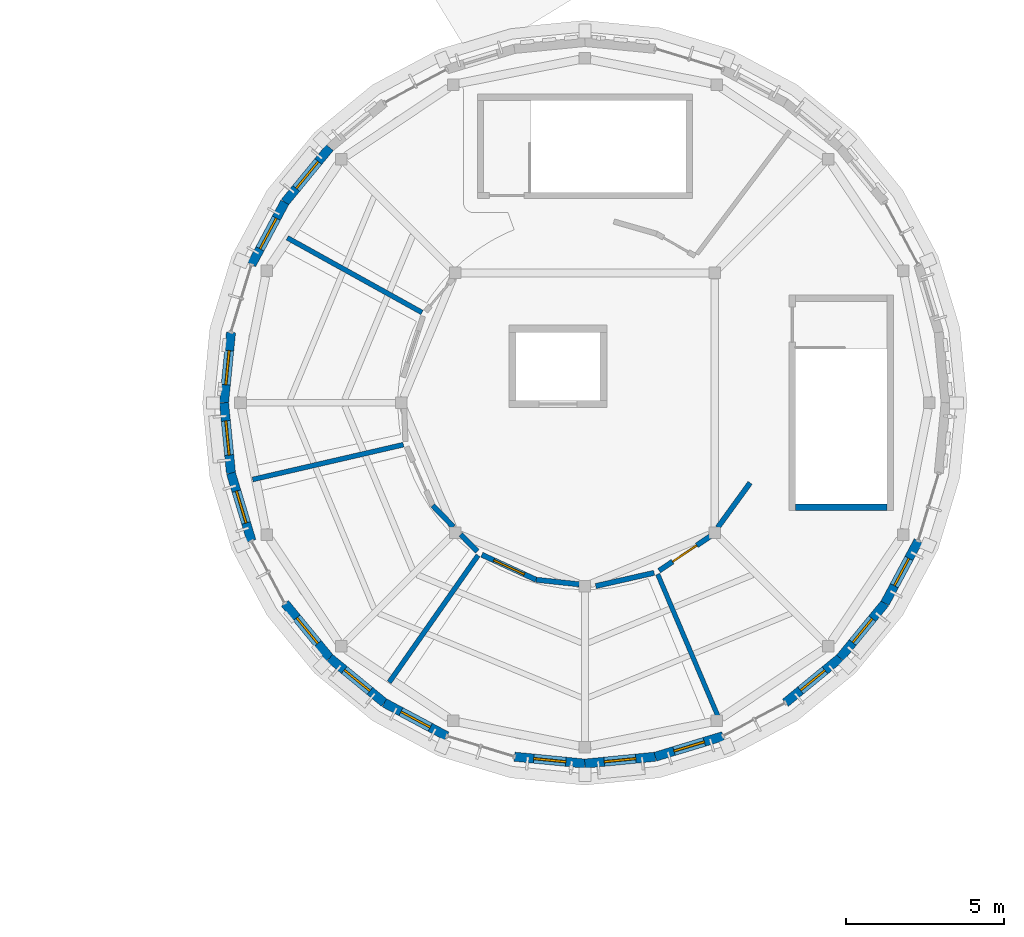
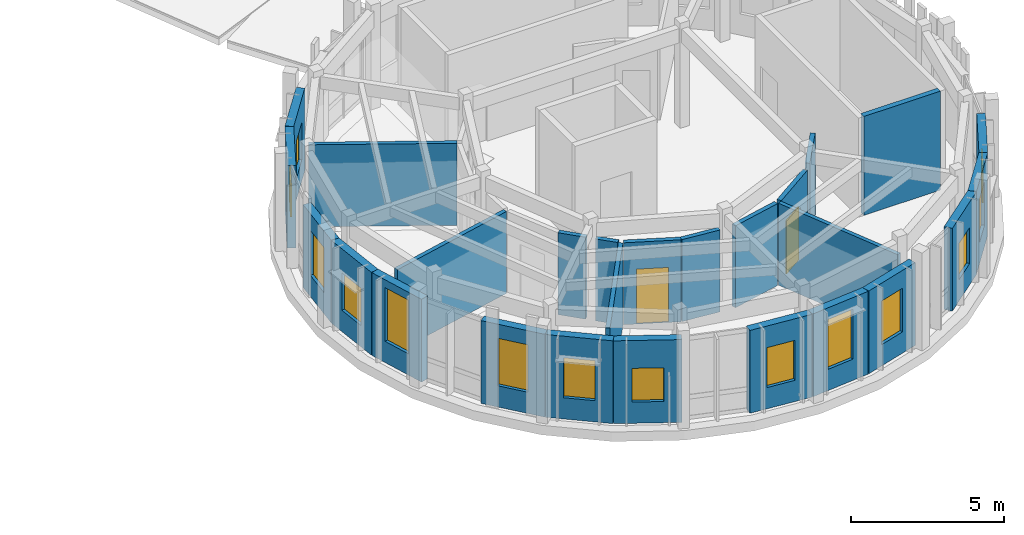
# One storey, part 39 of 58: 26 walls, 14 windows, 2 doors, 16 openings.
"""IFC4 building model written with IfcOpenShell, lengths in metres."""

from ifc_helpers import new_model, si_unit, direction, frame, frame_2d, origin, place, context, subcontext, project, spatial, rectangle, extrude, material, layer, layer_set, type_object, element, fill, save


model = new_model("IFC4")

# Units and contexts
model_context = context("Model", 3, precision=1e-05, world=origin(), true_north=direction((0.0, 1.0)))
body_context = subcontext(model_context, "Body", "Model", "MODEL_VIEW")
ifc_project = project(units=[si_unit("LENGTHUNIT", "METRE"), si_unit("AREAUNIT", "SQUARE_METRE"), si_unit("VOLUMEUNIT", "CUBIC_METRE"), si_unit("PLANEANGLEUNIT", "RADIAN"), si_unit("MASSUNIT", "GRAM", prefix="KILO")], contexts=[model_context])

# Site, building, storey
site_placement = place(None, origin())
site = spatial("IfcSite", under=ifc_project, at=site_placement, CompositionType="ELEMENT")
building_placement = place(site_placement, origin())
building = spatial("IfcBuilding", under=site, at=building_placement, Name="Aldenvaro Health Centre", CompositionType="ELEMENT")
storey_placement = place(building_placement, frame((0.0, 0.0, 8.75)))
storey = spatial("IfcBuildingStorey", under=building, at=storey_placement, Name="L02", CompositionType="ELEMENT", Elevation=8.75)

# Walls
ifc_material_1 = material(Name="Gypsum Stud Acoustic Assembly")
ifc_layer_1 = layer(ifc_material_1, 0.14501953125, Name="Gypsum Stud Acoustic Assembly")
ifc_layer_set_1 = layer_set([ifc_layer_1], Name="Gypsum Stud Acoustic Assembly")
wall_type_1 = type_object("IfcWallType", Name="WL-CLN-145", PredefinedType="PARTITIONING", material=ifc_layer_set_1)
wall_1_placement = place(storey_placement, frame((156.799072265625, 13.0849609375, 0.0), z_axis=(0.0, 0.0, 1.0), x_axis=(0.390680175244, -0.920526480157, 0.0)))
element("IfcWall", 1, at=wall_1_placement, inside=storey, type_object=wall_type_1, Name="D6 L02 clinical partition 5.1", PredefinedType="PARTITIONING", context=body_context, shape_type="SweptSolid", body=[
    extrude(rectangle(XDim=4.90673828125, YDim=0.14501953125, at=frame_2d((2.453369140625, 0.0))), origin(), (0.0, 0.0, 1.0), 3.279052734375),
])
ifc_layer_2 = layer(ifc_material_1, 0.1650390625, Name="Gypsum Stud Acoustic Assembly")
ifc_layer_set_2 = layer_set([ifc_layer_2], Name="Gypsum Stud Acoustic Assembly")
wall_type_2 = type_object("IfcWallType", Name="WL-COR-165", PredefinedType="PARTITIONING", material=ifc_layer_set_2)
wall_2_placement = place(storey_placement, frame((149.69189453125, 15.257080078125, 0.0), z_axis=(0.0, 0.0, 1.0), x_axis=(0.695365384634, -0.718656372582, 0.0)))
element("IfcWall", 2, at=wall_2_placement, inside=storey, type_object=wall_type_2, Name="D6 L02 corridor wall 03.2", PredefinedType="PARTITIONING", context=body_context, shape_type="SweptSolid", body=[
    extrude(rectangle(XDim=0.943359375, YDim=0.1650390625, at=frame_2d((0.4716796875, 0.0))), origin(), (0.0, 0.0, 1.0), 3.279052734375),
])
wall_3_placement = place(storey_placement, frame((150.576904296875, 14.342041015625, 0.0), z_axis=(0.0, 0.0, 1.0), x_axis=(0.695878501673, -0.718159530265, 0.0)))
element("IfcWall", 3, at=wall_3_placement, inside=storey, type_object=wall_type_2, Name="D6 L02 corridor wall 03.3", PredefinedType="PARTITIONING", context=body_context, shape_type="SweptSolid", body=[
    extrude(rectangle(XDim=0.756103515625, YDim=0.1650390625, at=frame_2d((0.3779296875, 0.0))), origin(), (0.0, 0.0, 1.0), 3.279052734375),
])

# Wall, opening, door
wall_4_placement = place(storey_placement, frame((151.243896484375, 13.699951171875, 0.0), z_axis=(0.0, 0.0, 1.0), x_axis=(0.908057612025, -0.418845285569, 0.0)))
wall_4 = element("IfcWall", 4, at=wall_4_placement, inside=storey, type_object=wall_type_2, Name="D6 L02 corridor wall 04.1", PredefinedType="PARTITIONING", context=body_context, shape_type="SweptSolid", body=[
    extrude(rectangle(XDim=1.890869140625, YDim=0.1650390625, at=frame_2d((0.9453125, 0.0))), origin(), (0.0, 0.0, 1.0), 3.279052734375),
])
opening_1_placement = place(wall_4_placement, frame((0.416015625, 0.0, 0.0)))
opening_1 = element("IfcOpeningElement", 5, at=opening_1_placement, cuts=wall_4, Name="Opening MD-02", PredefinedType="OPENING", context=body_context, shape_type="SweptSolid", body=[
    extrude(rectangle(XDim=1.06005859375, YDim=2.199951171875, at=frame_2d((0.530029296875, 1.10009765625))), frame((0.0, 0.092529296875, 0.0), z_axis=(0.0, -1.0, 0.0), x_axis=(1.0, 0.0, 0.0)), (0.0, 0.0, 1.0), 0.18505859375),
])
ifc_material_2 = material(Name="Anti-Ligature Counseling Door")
door_type_1 = type_object("IfcDoorType", Name="DR-MHL-02", OperationType="NOTDEFINED", PredefinedType="DOOR", material=ifc_material_2)
door_1_placement = place(opening_1_placement, origin())
door_1 = element("IfcDoor", 6, at=door_1_placement, inside=storey, type_object=door_type_1, Name="Group Behavioral Therapy Room Door", OperationType="SINGLE_SWING_LEFT", OverallHeight=2.199951171875, OverallWidth=1.06005859375, PredefinedType="DOOR", context=body_context, shape_type="SweptSolid", body=[
    extrude(rectangle(XDim=1.06005859375, YDim=2.199951171875, at=frame_2d((0.530029296875, 1.10009765625))), frame((0.0, 0.02490234375, 0.0), z_axis=(0.0, -1.0, 0.0), x_axis=(1.0, 0.0, 0.0)), (0.0, 0.0, 1.0), 0.050048828125),
])
fill(opening_1, door_1)

# Walls
wall_5_placement = place(storey_placement, frame((152.9609375, 12.907958984375, 0.0), z_axis=(0.0, 0.0, 1.0), x_axis=(0.994536643564, -0.104388048205, 0.0)))
element("IfcWall", 7, at=wall_5_placement, inside=storey, type_object=wall_type_2, Name="D6 L02 corridor wall 04.2", PredefinedType="PARTITIONING", context=body_context, shape_type="SweptSolid", body=[
    extrude(rectangle(XDim=1.37060546875, YDim=0.1650390625, at=frame_2d((0.685302734375, 0.0))), origin(), (0.0, 0.0, 1.0), 3.279052734375),
])
wall_6_placement = place(storey_placement, frame((154.842041015625, 12.7099609375, 0.0), z_axis=(0.0, 0.0, 1.0), x_axis=(0.975286020369, 0.220946098567, 0.0)))
element("IfcWall", 8, at=wall_6_placement, inside=storey, type_object=wall_type_2, Name="D6 L02 corridor wall 04.3", PredefinedType="PARTITIONING", context=body_context, shape_type="SweptSolid", body=[
    extrude(rectangle(XDim=1.8916015625, YDim=0.1650390625, at=frame_2d((0.94580078125, 0.0))), origin(), (0.0, 0.0, 1.0), 3.279052734375),
])

# Wall, opening, door
wall_7_placement = place(storey_placement, frame((156.844970703125, 13.195068359375, 0.0), z_axis=(0.0, 0.0, 1.0), x_axis=(0.829839559262, 0.558002066201, 0.0)))
wall_7 = element("IfcWall", 9, at=wall_7_placement, inside=storey, type_object=wall_type_2, Name="D6 L02 corridor wall 05.1", PredefinedType="PARTITIONING", context=body_context, shape_type="SweptSolid", body=[
    extrude(rectangle(XDim=1.942626953125, YDim=0.1650390625, at=frame_2d((0.97119140625, 0.0))), origin(), (0.0, 0.0, 1.0), 3.279052734375),
])
opening_2_placement = place(wall_7_placement, frame((0.510986328125, 0.0, 0.0)))
opening_2 = element("IfcOpeningElement", 10, at=opening_2_placement, cuts=wall_7, Name="Opening D-01", PredefinedType="OPENING", context=body_context, shape_type="SweptSolid", body=[
    extrude(rectangle(XDim=0.919921875, YDim=2.1201171875, at=frame_2d((0.4599609375, 1.06005859375))), frame((0.0, 0.092529296875, 0.0), z_axis=(0.0, -1.0, 0.0), x_axis=(1.0, 0.0, 0.0)), (0.0, 0.0, 1.0), 0.18505859375),
])
ifc_material_3 = material(Name="Solid Core Acoustic Timber Door", Category="wood")
door_type_2 = type_object("IfcDoorType", Name="DR-CLN-01", OperationType="NOTDEFINED", PredefinedType="DOOR", material=ifc_material_3)
door_2_placement = place(opening_2_placement, origin())
door_2 = element("IfcDoor", 11, at=door_2_placement, inside=storey, type_object=door_type_2, Name="Psychiatric Medication Consulting Door", OperationType="SINGLE_SWING_RIGHT", OverallHeight=2.1201171875, OverallWidth=0.919921875, PredefinedType="DOOR", context=body_context, shape_type="SweptSolid", body=[
    extrude(rectangle(XDim=0.919921875, YDim=2.1201171875, at=frame_2d((0.4599609375, 1.06005859375))), frame((0.0, 0.02490234375, 0.0), z_axis=(0.0, -1.0, 0.0), x_axis=(1.0, 0.0, 0.0)), (0.0, 0.0, 1.0), 0.050048828125),
])
fill(opening_2, door_2)

# Wall
wall_8_placement = place(storey_placement, frame((158.697021484375, 14.56005859375, 0.0), z_axis=(0.0, 0.0, 1.0), x_axis=(0.586988232211, 0.809595463949, 0.0)))
element("IfcWall", 12, at=wall_8_placement, inside=storey, type_object=wall_type_2, Name="D6 L02 corridor wall 05.2", PredefinedType="PARTITIONING", context=body_context, shape_type="SweptSolid", body=[
    extrude(rectangle(XDim=1.74267578125, YDim=0.1650390625, at=frame_2d((0.871337890625, 0.0))), origin(), (0.0, 0.0, 1.0), 3.279052734375),
])

# Wall, opening, window
ifc_material_4 = material(Name="Cross-laminated timber CLT E1", Category="wood")
ifc_layer_3 = layer(ifc_material_4, 0.2900390625, Name="Cross-laminated timber CLT E1", Category="wood")
ifc_layer_set_3 = layer_set([ifc_layer_3], Name="Cross-laminated timber CLT E1")
wall_type_3 = type_object("IfcWallType", Name="WL-EXT-290", PredefinedType="ELEMENTEDWALL", material=ifc_layer_set_3)
wall_9_placement = place(storey_placement, frame((165.031982421875, 14.136962890625, 0.0), z_axis=(0.0, 0.0, 1.0), x_axis=(-0.471217561446, -0.882017012185, 0.0)))
wall_9 = element("IfcWall", 13, at=wall_9_placement, inside=storey, type_object=wall_type_3, Name="D6 L02 exterior wall 03", PredefinedType="ELEMENTEDWALL", context=body_context, shape_type="SweptSolid", body=[
    extrude(rectangle(XDim=2.234619140625, YDim=0.2900390625, at=frame_2d((1.1171875, 0.0))), origin(), (0.0, 0.0, 1.0), 3.31396484375),
])
opening_3_placement = place(wall_9_placement, frame((0.626953125, 0.0, 0.85009765625)))
opening_3 = element("IfcOpeningElement", 14, at=opening_3_placement, cuts=wall_9, Name="Opening W-13", PredefinedType="OPENING", context=body_context, shape_type="SweptSolid", body=[
    extrude(rectangle(XDim=0.97998046875, YDim=1.5, at=frame_2d((0.489990234375, 0.75))), frame((0.0, 0.155029296875, 0.0), z_axis=(0.0, -1.0, 0.0), x_axis=(1.0, 0.0, 0.0)), (0.0, 0.0, 1.0), 0.31005859375),
])
ifc_material_5 = material(Name="Thermally Broken Aluminium Low-E Glass", Category="aluminium")
window_type_1 = type_object("IfcWindowType", Name="WN-EXT-13", PartitioningType="SINGLE_PANEL", PredefinedType="WINDOW", material=ifc_material_5)
window_1_placement = place(opening_3_placement, origin())
window_1 = element("IfcWindow", 15, at=window_1_placement, inside=storey, type_object=window_type_1, Name="D6 L02 clinical window 03", OverallHeight=1.5, OverallWidth=0.97998046875, PartitioningType="SINGLE_PANEL", PredefinedType="WINDOW", context=body_context, shape_type="SweptSolid", body=[
    extrude(rectangle(XDim=0.97998046875, YDim=1.5, at=frame_2d((0.489990234375, 0.75))), frame((0.0, 0.030029296875, 0.0), z_axis=(0.0, -1.0, 0.0), x_axis=(1.0, 0.0, 0.0)), (0.0, 0.0, 1.0), 0.06005859375),
])
fill(opening_3, window_1)

wall_10_placement = place(storey_placement, frame((163.97900390625, 12.166015625, 0.0), z_axis=(0.0, 0.0, 1.0), x_axis=(-0.63455767339, -0.772875513354, 0.0)))
wall_10 = element("IfcWall", 16, at=wall_10_placement, inside=storey, type_object=wall_type_3, Name="D6 L02 exterior wall 04", PredefinedType="ELEMENTEDWALL", context=body_context, shape_type="SweptSolid", body=[
    extrude(rectangle(XDim=2.234619140625, YDim=0.2900390625, at=frame_2d((1.1171875, 0.0))), origin(), (0.0, 0.0, 1.0), 3.31396484375),
])
opening_4_placement = place(wall_10_placement, frame((0.626953125, 0.0, 0.85009765625)))
opening_4 = element("IfcOpeningElement", 17, at=opening_4_placement, cuts=wall_10, Name="Opening W-14", PredefinedType="OPENING", context=body_context, shape_type="SweptSolid", body=[
    extrude(rectangle(XDim=0.97998046875, YDim=1.75, at=frame_2d((0.489990234375, 0.875))), frame((0.0, 0.155029296875, 0.0), z_axis=(0.0, -1.0, 0.0), x_axis=(1.0, 0.0, 0.0)), (0.0, 0.0, 1.0), 0.31005859375),
])
window_type_2 = type_object("IfcWindowType", Name="WN-EXT-14", PartitioningType="SINGLE_PANEL", PredefinedType="WINDOW", material=ifc_material_5)
window_2_placement = place(opening_4_placement, origin())
window_2 = element("IfcWindow", 18, at=window_2_placement, inside=storey, type_object=window_type_2, Name="D6 L02 clinical window 04", OverallHeight=1.75, OverallWidth=0.97998046875, PartitioningType="SINGLE_PANEL", PredefinedType="WINDOW", context=body_context, shape_type="SweptSolid", body=[
    extrude(rectangle(XDim=0.97998046875, YDim=1.75, at=frame_2d((0.489990234375, 0.875))), frame((0.0, 0.030029296875, 0.0), z_axis=(0.0, -1.0, 0.0), x_axis=(1.0, 0.0, 0.0)), (0.0, 0.0, 1.0), 0.06005859375),
])
fill(opening_4, window_2)

wall_11_placement = place(storey_placement, frame((162.56103515625, 10.43896484375, 0.0), z_axis=(0.0, 0.0, 1.0), x_axis=(-0.772875513354, -0.63455767339, 0.0)))
wall_11 = element("IfcWall", 19, at=wall_11_placement, inside=storey, type_object=wall_type_3, Name="D6 L02 exterior wall 05", PredefinedType="ELEMENTEDWALL", context=body_context, shape_type="SweptSolid", body=[
    extrude(rectangle(XDim=2.234619140625, YDim=0.2900390625, at=frame_2d((1.1171875, 0.0))), origin(), (0.0, 0.0, 1.0), 3.31396484375),
])
opening_5_placement = place(wall_11_placement, frame((0.616943359375, 0.0, 0.85009765625)))
opening_5 = element("IfcOpeningElement", 20, at=opening_5_placement, cuts=wall_11, Name="Opening W-15", PredefinedType="OPENING", context=body_context, shape_type="SweptSolid", body=[
    extrude(rectangle(XDim=1.0, YDim=1.449951171875, at=frame_2d((0.5, 0.72509765625))), frame((0.0, 0.155029296875, 0.0), z_axis=(0.0, -1.0, 0.0), x_axis=(1.0, 0.0, 0.0)), (0.0, 0.0, 1.0), 0.31005859375),
])
window_type_3 = type_object("IfcWindowType", Name="WN-EXT-15", PartitioningType="SINGLE_PANEL", PredefinedType="WINDOW", material=ifc_material_5)
window_3_placement = place(opening_5_placement, origin())
window_3 = element("IfcWindow", 21, at=window_3_placement, inside=storey, type_object=window_type_3, Name="D6 L02 clinical window 05", OverallHeight=1.449951171875, OverallWidth=1.0, PartitioningType="SINGLE_PANEL", PredefinedType="WINDOW", context=body_context, shape_type="SweptSolid", body=[
    extrude(rectangle(XDim=1.0, YDim=1.449951171875, at=frame_2d((0.5, 0.72509765625))), frame((0.0, 0.030029296875, 0.0), z_axis=(0.0, -1.0, 0.0), x_axis=(1.0, 0.0, 0.0)), (0.0, 0.0, 1.0), 0.06005859375),
])
fill(opening_5, window_3)

wall_12_placement = place(storey_placement, frame((158.863037109375, 7.968017578125, 0.0), z_axis=(0.0, 0.0, 1.0), x_axis=(-0.956928814218, -0.290322655883, 0.0)))
wall_12 = element("IfcWall", 22, at=wall_12_placement, inside=storey, type_object=wall_type_3, Name="D6 L02 exterior wall 07", PredefinedType="ELEMENTEDWALL", context=body_context, shape_type="SweptSolid", body=[
    extrude(rectangle(XDim=2.235107421875, YDim=0.2900390625, at=frame_2d((1.11767578125, 0.0))), origin(), (0.0, 0.0, 1.0), 3.31396484375),
])
opening_6_placement = place(wall_12_placement, frame((0.617919921875, 0.0, 0.85009765625)))
opening_6 = element("IfcOpeningElement", 23, at=opening_6_placement, cuts=wall_12, Name="Opening W-16", PredefinedType="OPENING", context=body_context, shape_type="SweptSolid", body=[
    extrude(rectangle(XDim=1.0, YDim=1.75, at=frame_2d((0.5, 0.875))), frame((0.0, 0.155029296875, 0.0), z_axis=(0.0, -1.0, 0.0), x_axis=(1.0, 0.0, 0.0)), (0.0, 0.0, 1.0), 0.31005859375),
])
window_type_4 = type_object("IfcWindowType", Name="WN-EXT-16", PartitioningType="SINGLE_PANEL", PredefinedType="WINDOW", material=ifc_material_5)
window_4_placement = place(opening_6_placement, origin())
window_4 = element("IfcWindow", 24, at=window_4_placement, inside=storey, type_object=window_type_4, Name="D6 L02 clinical window 07", OverallHeight=1.75, OverallWidth=1.0, PartitioningType="SINGLE_PANEL", PredefinedType="WINDOW", context=body_context, shape_type="SweptSolid", body=[
    extrude(rectangle(XDim=1.0, YDim=1.75, at=frame_2d((0.5, 0.875))), frame((0.0, 0.030029296875, 0.0), z_axis=(0.0, -1.0, 0.0), x_axis=(1.0, 0.0, 0.0)), (0.0, 0.0, 1.0), 0.06005859375),
])
fill(opening_6, window_4)

wall_13_placement = place(storey_placement, frame((156.72412109375, 7.319091796875, 0.0), z_axis=(0.0, 0.0, 1.0), x_axis=(-0.995187461503, -0.097989369151, 0.0)))
wall_13 = element("IfcWall", 25, at=wall_13_placement, inside=storey, type_object=wall_type_3, Name="D6 L02 exterior wall 08", PredefinedType="ELEMENTEDWALL", context=body_context, shape_type="SweptSolid", body=[
    extrude(rectangle(XDim=2.23486328125, YDim=0.2900390625, at=frame_2d((1.117431640625, 0.0))), origin(), (0.0, 0.0, 1.0), 3.31396484375),
])
opening_7_placement = place(wall_13_placement, frame((0.616943359375, 0.0, 0.85009765625)))
opening_7 = element("IfcOpeningElement", 26, at=opening_7_placement, cuts=wall_13, Name="Opening W-17", PredefinedType="OPENING", context=body_context, shape_type="SweptSolid", body=[
    extrude(rectangle(XDim=1.0, YDim=2.0, at=frame_2d((0.5, 1.0))), frame((0.0, 0.155029296875, 0.0), z_axis=(0.0, -1.0, 0.0), x_axis=(1.0, 0.0, 0.0)), (0.0, 0.0, 1.0), 0.31005859375),
])
window_type_5 = type_object("IfcWindowType", Name="WN-EXT-17", PartitioningType="SINGLE_PANEL", PredefinedType="WINDOW", material=ifc_material_5)
window_5_placement = place(opening_7_placement, origin())
window_5 = element("IfcWindow", 27, at=window_5_placement, inside=storey, type_object=window_type_5, Name="D6 L02 clinical window 08", OverallHeight=2.0, OverallWidth=1.0, PartitioningType="SINGLE_PANEL", PredefinedType="WINDOW", context=body_context, shape_type="SweptSolid", body=[
    extrude(rectangle(XDim=1.0, YDim=2.0, at=frame_2d((0.5, 1.0))), frame((0.0, 0.030029296875, 0.0), z_axis=(0.0, -1.0, 0.0), x_axis=(1.0, 0.0, 0.0)), (0.0, 0.0, 1.0), 0.06005859375),
])
fill(opening_7, window_5)

wall_14_placement = place(storey_placement, frame((154.5, 7.10009765625, 0.0), z_axis=(0.0, 0.0, 1.0), x_axis=(-0.995187461503, 0.097989369151, 0.0)))
wall_14 = element("IfcWall", 28, at=wall_14_placement, inside=storey, type_object=wall_type_3, Name="D6 L02 exterior wall 09", PredefinedType="ELEMENTEDWALL", context=body_context, shape_type="SweptSolid", body=[
    extrude(rectangle(XDim=2.23486328125, YDim=0.2900390625, at=frame_2d((1.117431640625, 0.0))), origin(), (0.0, 0.0, 1.0), 3.31396484375),
])
opening_8_placement = place(wall_14_placement, frame((0.60693359375, 0.0, 0.85009765625)))
opening_8 = element("IfcOpeningElement", 29, at=opening_8_placement, cuts=wall_14, Name="Opening W-18", PredefinedType="OPENING", context=body_context, shape_type="SweptSolid", body=[
    extrude(rectangle(XDim=1.02001953125, YDim=1.60009765625, at=frame_2d((0.510009765625, 0.800048828125))), frame((0.0, 0.155029296875, 0.0), z_axis=(0.0, -1.0, 0.0), x_axis=(1.0, 0.0, 0.0)), (0.0, 0.0, 1.0), 0.31005859375),
])
window_type_6 = type_object("IfcWindowType", Name="WN-EXT-18", PartitioningType="SINGLE_PANEL", PredefinedType="WINDOW", material=ifc_material_5)
window_6_placement = place(opening_8_placement, origin())
window_6 = element("IfcWindow", 30, at=window_6_placement, inside=storey, type_object=window_type_6, Name="D6 L02 clinical window 09", OverallHeight=1.60009765625, OverallWidth=1.02001953125, PartitioningType="SINGLE_PANEL", PredefinedType="WINDOW", context=body_context, shape_type="SweptSolid", body=[
    extrude(rectangle(XDim=1.02001953125, YDim=1.60009765625, at=frame_2d((0.510009765625, 0.800048828125))), frame((0.0, 0.030029296875, 0.0), z_axis=(0.0, -1.0, 0.0), x_axis=(1.0, 0.0, 0.0)), (0.0, 0.0, 1.0), 0.06005859375),
])
fill(opening_8, window_6)

wall_15_placement = place(storey_placement, frame((150.136962890625, 7.968017578125, 0.0), z_axis=(0.0, 0.0, 1.0), x_axis=(-0.882017012185, 0.471217561446, 0.0)))
wall_15 = element("IfcWall", 31, at=wall_15_placement, inside=storey, type_object=wall_type_3, Name="D6 L02 exterior wall 11", PredefinedType="ELEMENTEDWALL", context=body_context, shape_type="SweptSolid", body=[
    extrude(rectangle(XDim=2.234619140625, YDim=0.2900390625, at=frame_2d((1.1171875, 0.0))), origin(), (0.0, 0.0, 1.0), 3.31396484375),
])
opening_9_placement = place(wall_15_placement, frame((0.592041015625, 0.0, 0.85009765625)))
opening_9 = element("IfcOpeningElement", 32, at=opening_9_placement, cuts=wall_15, Name="Opening W-19", PredefinedType="OPENING", context=body_context, shape_type="SweptSolid", body=[
    extrude(rectangle(XDim=1.050048828125, YDim=1.35009765625, at=frame_2d((0.52490234375, 0.675048828125))), frame((0.0, 0.155029296875, 0.0), z_axis=(0.0, -1.0, 0.0), x_axis=(1.0, 0.0, 0.0)), (0.0, 0.0, 1.0), 0.31005859375),
])
window_type_7 = type_object("IfcWindowType", Name="WN-EXT-19", PartitioningType="SINGLE_PANEL", PredefinedType="WINDOW", material=ifc_material_5)
window_7_placement = place(opening_9_placement, origin())
window_7 = element("IfcWindow", 33, at=window_7_placement, inside=storey, type_object=window_type_7, Name="D6 L02 clinical window 11", OverallHeight=1.35009765625, OverallWidth=1.050048828125, PartitioningType="SINGLE_PANEL", PredefinedType="WINDOW", context=body_context, shape_type="SweptSolid", body=[
    extrude(rectangle(XDim=1.050048828125, YDim=1.35009765625, at=frame_2d((0.52490234375, 0.675048828125))), frame((0.0, 0.030029296875, 0.0), z_axis=(0.0, -1.0, 0.0), x_axis=(1.0, 0.0, 0.0)), (0.0, 0.0, 1.0), 0.06005859375),
])
fill(opening_9, window_7)

wall_16_placement = place(storey_placement, frame((148.166015625, 9.02099609375, 0.0), z_axis=(0.0, 0.0, 1.0), x_axis=(-0.772875513354, 0.63455767339, 0.0)))
wall_16 = element("IfcWall", 34, at=wall_16_placement, inside=storey, type_object=wall_type_3, Name="D6 L02 exterior wall 12", PredefinedType="ELEMENTEDWALL", context=body_context, shape_type="SweptSolid", body=[
    extrude(rectangle(XDim=2.234619140625, YDim=0.2900390625, at=frame_2d((1.1171875, 0.0))), origin(), (0.0, 0.0, 1.0), 3.31396484375),
])
opening_10_placement = place(wall_16_placement, frame((0.592041015625, 0.0, 0.85009765625)))
opening_10 = element("IfcOpeningElement", 35, at=opening_10_placement, cuts=wall_16, Name="Opening W-20", PredefinedType="OPENING", context=body_context, shape_type="SweptSolid", body=[
    extrude(rectangle(XDim=1.050048828125, YDim=1.60009765625, at=frame_2d((0.52490234375, 0.800048828125))), frame((0.0, 0.155029296875, 0.0), z_axis=(0.0, -1.0, 0.0), x_axis=(1.0, 0.0, 0.0)), (0.0, 0.0, 1.0), 0.31005859375),
])
window_type_8 = type_object("IfcWindowType", Name="WN-EXT-20", PartitioningType="SINGLE_PANEL", PredefinedType="WINDOW", material=ifc_material_5)
window_8_placement = place(opening_10_placement, origin())
window_8 = element("IfcWindow", 36, at=window_8_placement, inside=storey, type_object=window_type_8, Name="D6 L02 clinical window 12", OverallHeight=1.60009765625, OverallWidth=1.050048828125, PartitioningType="SINGLE_PANEL", PredefinedType="WINDOW", context=body_context, shape_type="SweptSolid", body=[
    extrude(rectangle(XDim=1.050048828125, YDim=1.60009765625, at=frame_2d((0.52490234375, 0.800048828125))), frame((0.0, 0.030029296875, 0.0), z_axis=(0.0, -1.0, 0.0), x_axis=(1.0, 0.0, 0.0)), (0.0, 0.0, 1.0), 0.06005859375),
])
fill(opening_10, window_8)

wall_17_placement = place(storey_placement, frame((146.43896484375, 10.43896484375, 0.0), z_axis=(0.0, 0.0, 1.0), x_axis=(-0.63455767339, 0.772875513354, 0.0)))
wall_17 = element("IfcWall", 37, at=wall_17_placement, inside=storey, type_object=wall_type_3, Name="D6 L02 exterior wall 13", PredefinedType="ELEMENTEDWALL", context=body_context, shape_type="SweptSolid", body=[
    extrude(rectangle(XDim=2.234619140625, YDim=0.2900390625, at=frame_2d((1.1171875, 0.0))), origin(), (0.0, 0.0, 1.0), 3.31396484375),
])
opening_11_placement = place(wall_17_placement, frame((0.592041015625, 0.0, 0.85009765625)))
opening_11 = element("IfcOpeningElement", 38, at=opening_11_placement, cuts=wall_17, Name="Opening W-21", PredefinedType="OPENING", context=body_context, shape_type="SweptSolid", body=[
    extrude(rectangle(XDim=1.050048828125, YDim=1.89990234375, at=frame_2d((0.52490234375, 0.949951171875))), frame((0.0, 0.155029296875, 0.0), z_axis=(0.0, -1.0, 0.0), x_axis=(1.0, 0.0, 0.0)), (0.0, 0.0, 1.0), 0.31005859375),
])
window_type_9 = type_object("IfcWindowType", Name="WN-EXT-21", PartitioningType="SINGLE_PANEL", PredefinedType="WINDOW", material=ifc_material_5)
window_9_placement = place(opening_11_placement, origin())
window_9 = element("IfcWindow", 39, at=window_9_placement, inside=storey, type_object=window_type_9, Name="D6 L02 clinical window 13", OverallHeight=1.89990234375, OverallWidth=1.050048828125, PartitioningType="SINGLE_PANEL", PredefinedType="WINDOW", context=body_context, shape_type="SweptSolid", body=[
    extrude(rectangle(XDim=1.050048828125, YDim=1.89990234375, at=frame_2d((0.52490234375, 0.949951171875))), frame((0.0, 0.030029296875, 0.0), z_axis=(0.0, -1.0, 0.0), x_axis=(1.0, 0.0, 0.0)), (0.0, 0.0, 1.0), 0.06005859375),
])
fill(opening_11, window_9)

wall_18_placement = place(storey_placement, frame((143.968017578125, 14.136962890625, 0.0), z_axis=(0.0, 0.0, 1.0), x_axis=(-0.290322655883, 0.956928814218, 0.0)))
wall_18 = element("IfcWall", 40, at=wall_18_placement, inside=storey, type_object=wall_type_3, Name="D6 L02 exterior wall 15", PredefinedType="ELEMENTEDWALL", context=body_context, shape_type="SweptSolid", body=[
    extrude(rectangle(XDim=2.235107421875, YDim=0.2900390625, at=frame_2d((1.11767578125, 0.0))), origin(), (0.0, 0.0, 1.0), 3.31396484375),
])
opening_12_placement = place(wall_18_placement, frame((0.593017578125, 0.0, 0.85009765625)))
opening_12 = element("IfcOpeningElement", 41, at=opening_12_placement, cuts=wall_18, Name="Opening W-22", PredefinedType="OPENING", context=body_context, shape_type="SweptSolid", body=[
    extrude(rectangle(XDim=1.050048828125, YDim=2.14990234375, at=frame_2d((0.52490234375, 1.074951171875))), frame((0.0, 0.155029296875, 0.0), z_axis=(0.0, -1.0, 0.0), x_axis=(1.0, 0.0, 0.0)), (0.0, 0.0, 1.0), 0.31005859375),
])
window_type_10 = type_object("IfcWindowType", Name="WN-EXT-22", PartitioningType="SINGLE_PANEL", PredefinedType="WINDOW", material=ifc_material_5)
window_10_placement = place(opening_12_placement, origin())
window_10 = element("IfcWindow", 42, at=window_10_placement, inside=storey, type_object=window_type_10, Name="D6 L02 clinical window 15", OverallHeight=2.14990234375, OverallWidth=1.050048828125, PartitioningType="SINGLE_PANEL", PredefinedType="WINDOW", context=body_context, shape_type="SweptSolid", body=[
    extrude(rectangle(XDim=1.050048828125, YDim=2.14990234375, at=frame_2d((0.52490234375, 1.074951171875))), frame((0.0, 0.030029296875, 0.0), z_axis=(0.0, -1.0, 0.0), x_axis=(1.0, 0.0, 0.0)), (0.0, 0.0, 1.0), 0.06005859375),
])
fill(opening_12, window_10)

wall_19_placement = place(storey_placement, frame((143.319091796875, 16.27587890625, 0.0), z_axis=(0.0, 0.0, 1.0), x_axis=(-0.097989369151, 0.995187461503, 0.0)))
wall_19 = element("IfcWall", 43, at=wall_19_placement, inside=storey, type_object=wall_type_3, Name="D6 L02 exterior wall 16", PredefinedType="ELEMENTEDWALL", context=body_context, shape_type="SweptSolid", body=[
    extrude(rectangle(XDim=2.23486328125, YDim=0.2900390625, at=frame_2d((1.117431640625, 0.0))), origin(), (0.0, 0.0, 1.0), 3.31396484375),
])
opening_13_placement = place(wall_19_placement, frame((0.576904296875, 0.0, 0.85009765625)))
opening_13 = element("IfcOpeningElement", 44, at=opening_13_placement, cuts=wall_19, Name="Opening W-23", PredefinedType="OPENING", context=body_context, shape_type="SweptSolid", body=[
    extrude(rectangle(XDim=1.080078125, YDim=1.5, at=frame_2d((0.5400390625, 0.75))), frame((0.0, 0.155029296875, 0.0), z_axis=(0.0, -1.0, 0.0), x_axis=(1.0, 0.0, 0.0)), (0.0, 0.0, 1.0), 0.31005859375),
])
window_type_11 = type_object("IfcWindowType", Name="WN-EXT-23", PartitioningType="SINGLE_PANEL", PredefinedType="WINDOW", material=ifc_material_5)
window_11_placement = place(opening_13_placement, origin())
window_11 = element("IfcWindow", 45, at=window_11_placement, inside=storey, type_object=window_type_11, Name="D6 L02 clinical window 16", OverallHeight=1.5, OverallWidth=1.080078125, PartitioningType="SINGLE_PANEL", PredefinedType="WINDOW", context=body_context, shape_type="SweptSolid", body=[
    extrude(rectangle(XDim=1.080078125, YDim=1.5, at=frame_2d((0.5400390625, 0.75))), frame((0.0, 0.030029296875, 0.0), z_axis=(0.0, -1.0, 0.0), x_axis=(1.0, 0.0, 0.0)), (0.0, 0.0, 1.0), 0.06005859375),
])
fill(opening_13, window_11)

wall_20_placement = place(storey_placement, frame((143.10009765625, 18.5, 0.0), z_axis=(0.0, 0.0, 1.0), x_axis=(0.097989369151, 0.995187461503, 0.0)))
wall_20 = element("IfcWall", 46, at=wall_20_placement, inside=storey, type_object=wall_type_3, Name="D6 L02 exterior wall 17", PredefinedType="ELEMENTEDWALL", context=body_context, shape_type="SweptSolid", body=[
    extrude(rectangle(XDim=2.23486328125, YDim=0.2900390625, at=frame_2d((1.117431640625, 0.0))), origin(), (0.0, 0.0, 1.0), 3.31396484375),
])
opening_14_placement = place(wall_20_placement, frame((0.576904296875, 0.0, 0.85009765625)))
opening_14 = element("IfcOpeningElement", 47, at=opening_14_placement, cuts=wall_20, Name="Opening W-24", PredefinedType="OPENING", context=body_context, shape_type="SweptSolid", body=[
    extrude(rectangle(XDim=1.080078125, YDim=1.800048828125, at=frame_2d((0.5400390625, 0.89990234375))), frame((0.0, 0.155029296875, 0.0), z_axis=(0.0, -1.0, 0.0), x_axis=(1.0, 0.0, 0.0)), (0.0, 0.0, 1.0), 0.31005859375),
])
window_type_12 = type_object("IfcWindowType", Name="WN-EXT-24", PartitioningType="SINGLE_PANEL", PredefinedType="WINDOW", material=ifc_material_5)
window_12_placement = place(opening_14_placement, origin())
window_12 = element("IfcWindow", 48, at=window_12_placement, inside=storey, type_object=window_type_12, Name="D6 L02 clinical window 17", OverallHeight=1.800048828125, OverallWidth=1.080078125, PartitioningType="SINGLE_PANEL", PredefinedType="WINDOW", context=body_context, shape_type="SweptSolid", body=[
    extrude(rectangle(XDim=1.080078125, YDim=1.800048828125, at=frame_2d((0.5400390625, 0.89990234375))), frame((0.0, 0.030029296875, 0.0), z_axis=(0.0, -1.0, 0.0), x_axis=(1.0, 0.0, 0.0)), (0.0, 0.0, 1.0), 0.06005859375),
])
fill(opening_14, window_12)

wall_21_placement = place(storey_placement, frame((143.968017578125, 22.863037109375, 0.0), z_axis=(0.0, 0.0, 1.0), x_axis=(0.471217561446, 0.882017012185, 0.0)))
wall_21 = element("IfcWall", 49, at=wall_21_placement, inside=storey, type_object=wall_type_3, Name="D6 L02 exterior wall 19", PredefinedType="ELEMENTEDWALL", context=body_context, shape_type="SweptSolid", body=[
    extrude(rectangle(XDim=2.234619140625, YDim=0.2900390625, at=frame_2d((1.1171875, 0.0))), origin(), (0.0, 0.0, 1.0), 3.31396484375),
])
opening_15_placement = place(wall_21_placement, frame((0.56689453125, 0.0, 0.85009765625)))
opening_15 = element("IfcOpeningElement", 50, at=opening_15_placement, cuts=wall_21, Name="Opening W-25", PredefinedType="OPENING", context=body_context, shape_type="SweptSolid", body=[
    extrude(rectangle(XDim=1.10009765625, YDim=1.25, at=frame_2d((0.550048828125, 0.625))), frame((0.0, 0.155029296875, 0.0), z_axis=(0.0, -1.0, 0.0), x_axis=(1.0, 0.0, 0.0)), (0.0, 0.0, 1.0), 0.31005859375),
])
window_type_13 = type_object("IfcWindowType", Name="WN-EXT-25", PartitioningType="SINGLE_PANEL", PredefinedType="WINDOW", material=ifc_material_5)
window_13_placement = place(opening_15_placement, origin())
window_13 = element("IfcWindow", 51, at=window_13_placement, inside=storey, type_object=window_type_13, Name="D6 L02 clinical window 19", OverallHeight=1.25, OverallWidth=1.10009765625, PartitioningType="SINGLE_PANEL", PredefinedType="WINDOW", context=body_context, shape_type="SweptSolid", body=[
    extrude(rectangle(XDim=1.10009765625, YDim=1.25, at=frame_2d((0.550048828125, 0.625))), frame((0.0, 0.030029296875, 0.0), z_axis=(0.0, -1.0, 0.0), x_axis=(1.0, 0.0, 0.0)), (0.0, 0.0, 1.0), 0.06005859375),
])
fill(opening_15, window_13)

wall_22_placement = place(storey_placement, frame((145.02099609375, 24.833984375, 0.0), z_axis=(0.0, 0.0, 1.0), x_axis=(0.63455767339, 0.772875513354, 0.0)))
wall_22 = element("IfcWall", 52, at=wall_22_placement, inside=storey, type_object=wall_type_3, Name="D6 L02 exterior wall 20", PredefinedType="ELEMENTEDWALL", context=body_context, shape_type="SweptSolid", body=[
    extrude(rectangle(XDim=2.234619140625, YDim=0.2900390625, at=frame_2d((1.1171875, 0.0))), origin(), (0.0, 0.0, 1.0), 3.31396484375),
])
opening_16_placement = place(wall_22_placement, frame((0.56689453125, 0.0, 0.85009765625)))
opening_16 = element("IfcOpeningElement", 53, at=opening_16_placement, cuts=wall_22, Name="Opening W-26", PredefinedType="OPENING", context=body_context, shape_type="SweptSolid", body=[
    extrude(rectangle(XDim=1.10009765625, YDim=1.5, at=frame_2d((0.550048828125, 0.75))), frame((0.0, 0.155029296875, 0.0), z_axis=(0.0, -1.0, 0.0), x_axis=(1.0, 0.0, 0.0)), (0.0, 0.0, 1.0), 0.31005859375),
])
window_type_14 = type_object("IfcWindowType", Name="WN-EXT-26", PartitioningType="SINGLE_PANEL", PredefinedType="WINDOW", material=ifc_material_5)
window_14_placement = place(opening_16_placement, origin())
window_14 = element("IfcWindow", 54, at=window_14_placement, inside=storey, type_object=window_type_14, Name="D6 L02 clinical window 20", OverallHeight=1.5, OverallWidth=1.10009765625, PartitioningType="SINGLE_PANEL", PredefinedType="WINDOW", context=body_context, shape_type="SweptSolid", body=[
    extrude(rectangle(XDim=1.10009765625, YDim=1.5, at=frame_2d((0.550048828125, 0.75))), frame((0.0, 0.030029296875, 0.0), z_axis=(0.0, -1.0, 0.0), x_axis=(1.0, 0.0, 0.0)), (0.0, 0.0, 1.0), 0.06005859375),
])
fill(opening_16, window_14)

# Walls
ifc_material_6 = material(Name="Impact-Resistant Gypsum Partition")
ifc_layer_4 = layer(ifc_material_6, 0.155029296875, Name="Impact-Resistant Gypsum Partition")
ifc_layer_set_4 = layer_set([ifc_layer_4], Name="Impact-Resistant Gypsum Partition")
wall_type_4 = type_object("IfcWallType", Name="WL-MHL-155", PredefinedType="PARTITIONING", material=ifc_layer_set_4)
wall_23_placement = place(storey_placement, frame((149.35498046875, 21.35205078125, 0.0), z_axis=(0.0, 0.0, 1.0), x_axis=(-0.874634926541, 0.484782162703, 0.0)))
element("IfcWall", 55, at=wall_23_placement, inside=storey, type_object=wall_type_4, Name="D6 L02 clinical partition 2.1", PredefinedType="PARTITIONING", context=body_context, shape_type="SweptSolid", body=[
    extrude(rectangle(XDim=4.865966796875, YDim=0.155029296875, at=frame_2d((2.43310546875, 0.0))), origin(), (0.0, 0.0, 1.0), 3.279052734375),
])
wall_24_placement = place(storey_placement, frame((148.76806640625, 17.177001953125, 0.0), z_axis=(0.0, 0.0, 1.0), x_axis=(-0.974350778181, -0.225034577472, 0.0)))
element("IfcWall", 56, at=wall_24_placement, inside=storey, type_object=wall_type_4, Name="D6 L02 clinical partition 3.1", PredefinedType="PARTITIONING", context=body_context, shape_type="SweptSolid", body=[
    extrude(rectangle(XDim=4.888671875, YDim=0.155029296875, at=frame_2d((2.4443359375, 0.0))), origin(), (0.0, 0.0, 1.0), 3.279052734375),
])
wall_25_placement = place(storey_placement, frame((151.1259765625, 13.680908203125, 0.0), z_axis=(0.0, 0.0, 1.0), x_axis=(-0.573579487823, -0.819149907617, 0.0)))
element("IfcWall", 57, at=wall_25_placement, inside=storey, type_object=wall_type_4, Name="D6 L02 clinical partition 4.1", PredefinedType="PARTITIONING", context=body_context, shape_type="SweptSolid", body=[
    extrude(rectangle(XDim=4.895263671875, YDim=0.155029296875, at=frame_2d((2.44775390625, 0.0))), origin(), (0.0, 0.0, 1.0), 3.279052734375),
])
ifc_material_7 = material(Name="Concrete f'c 40 MPa", Category="concrete")
ifc_layer_5 = layer(ifc_material_7, 0.199951171875, Name="Concrete f'c 40 MPa", Category="concrete")
ifc_layer_set_5 = layer_set([ifc_layer_5], Name="Concrete f'c 40 MPa")
wall_type_5 = type_object("IfcWallType", Name="WL-SHAFT-200", PredefinedType="SHEAR", material=ifc_layer_set_5)
wall_26_placement = place(storey_placement, frame((161.14990234375, 15.199951171875, 0.0), z_axis=(0.0, 0.0, 1.0), x_axis=(1.0, 0.0, 0.0)))
element("IfcWall", 58, at=wall_26_placement, inside=storey, type_object=wall_type_5, Name="ST-11 L02 core wall R", PredefinedType="SHEAR", context=body_context, shape_type="SweptSolid", body=[
    extrude(rectangle(XDim=2.900146484375, YDim=0.199951171875, at=frame_2d((1.4501953125, 0.0))), origin(), (0.0, 0.0, 1.0), 3.9599609375),
])

save(model, "model.ifc")
